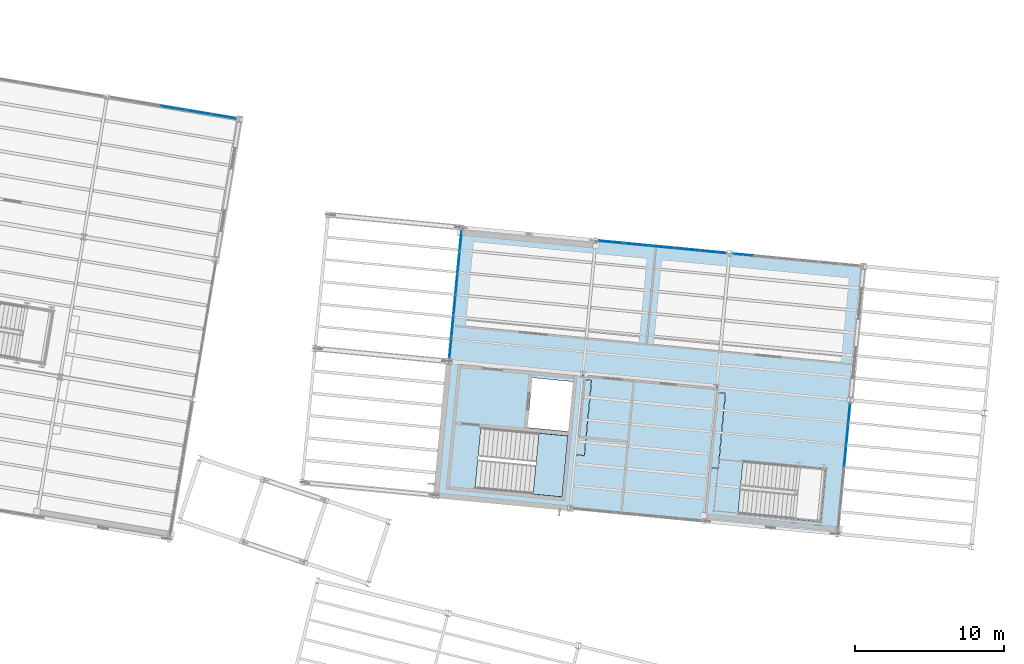
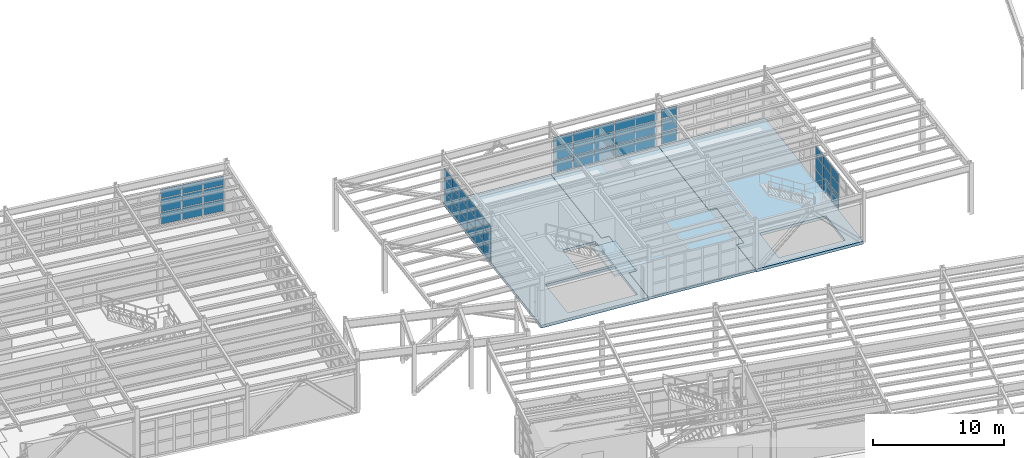
# One storey, part 71 of 109: 54 plates, 4 slabs, 6 elements without a shape of their own.
"""IFC4 building model written with IfcOpenShell, lengths in metres."""

from ifc_helpers import new_model, si_unit, direction, frame, origin, origin_2d, place, context, subcontext, project, spatial, polyline, rectangle, outline, extrude, material, layer, layer_set, type_object, element, aggregate, save


model = new_model("IFC4")

# Units and contexts
model_context = context("Model", 3, precision=1e-05, world=origin(), true_north=direction((0.0, 1.0)))
body_context = subcontext(model_context, "Body", "Model", "MODEL_VIEW")
ifc_project = project(units=[si_unit("LENGTHUNIT", "METRE"), si_unit("AREAUNIT", "SQUARE_METRE"), si_unit("VOLUMEUNIT", "CUBIC_METRE"), si_unit("PLANEANGLEUNIT", "RADIAN"), si_unit("MASSUNIT", "GRAM", prefix="KILO")], contexts=[model_context])

# Site, building, storey
site_placement = place(None, origin())
site = spatial("IfcSite", under=ifc_project, at=site_placement, CompositionType="ELEMENT")
building_placement = place(site_placement, origin())
building = spatial("IfcBuilding", under=site, at=building_placement, Name="Vireo Bluff Cable Station", CompositionType="ELEMENT")
storey_placement = place(building_placement, frame((0.0, 0.0, 4.800048828125)))
storey = spatial("IfcBuildingStorey", under=building, at=storey_placement, Name="L01", CompositionType="ELEMENT", Elevation=4.800048828125)

# Curtain wall, plates
ifc_material_1 = material(Name="Anodized Aluminium 6063-T6", Category="aluminium")
ifc_layer_1 = layer(ifc_material_1, 0.179931640625, Name="Anodized Aluminium 6063-T6")
ifc_layer_set_1 = layer_set([ifc_layer_1], Name="Anodized Aluminium 6063-T6")
curtain_wall_type_1 = type_object("IfcCurtainWallType", Name="CW-UNIT-1400", PredefinedType="USERDEFINED", material=ifc_layer_set_1)
curtain_wall_1_placement = place(storey_placement, origin())
curtain_wall_1 = element("IfcCurtainWall", 1, at=curtain_wall_1_placement, inside=storey, type_object=curtain_wall_type_1, Name="V3 L01 north curtain wall CW-075", ObjectType="UNITISED CURTAIN WALL", PredefinedType="USERDEFINED")
ifc_material_2 = material(Name="Laminated Low-E Insulated Glass", Category="glass")
ifc_layer_2 = layer(ifc_material_2, 0.028076171875, Name="Laminated Low-E Insulated Glass")
ifc_layer_set_2 = layer_set([ifc_layer_2], Name="Laminated Low-E Insulated Glass")
plate_type_1 = type_object("IfcPlateType", Name="CWP-28-1", PredefinedType="CURTAIN_PANEL", material=ifc_layer_set_2)
plate_1_placement = place(storey_placement, frame((88.306640625, 83.106689453125, 0.080078125), z_axis=(0.0, 0.0, 1.0), x_axis=(0.995396195058, -0.095845786884, 0.0)))
plate_1 = element("IfcPlate", 2, at=plate_1_placement, type_object=plate_type_1, Name="CW-075 panel 1.1", PredefinedType="CURTAIN_PANEL", context=body_context, shape_type="SweptSolid", body=[
    extrude(rectangle(XDim=1.3271484375, YDim=0.028076171875, at=origin_2d()), origin(), (0.0, 0.0, 1.0), 1.070068359375),
])
plate_2_placement = place(storey_placement, frame((88.306640625, 83.106689453125, 1.22998046875), z_axis=(0.0, 0.0, 1.0), x_axis=(0.995396195058, -0.095845786884, 0.0)))
plate_2 = element("IfcPlate", 3, at=plate_2_placement, type_object=plate_type_1, Name="CW-075 panel 1.2", PredefinedType="CURTAIN_PANEL", context=body_context, shape_type="SweptSolid", body=[
    extrude(rectangle(XDim=1.3271484375, YDim=0.028076171875, at=origin_2d()), origin(), (0.0, 0.0, 1.0), 1.177978515625),
])
plate_3_placement = place(storey_placement, frame((88.306640625, 83.106689453125, 2.488037109375), z_axis=(0.0, 0.0, 1.0), x_axis=(0.995396195058, -0.095845786884, 0.0)))
plate_3 = element("IfcPlate", 4, at=plate_3_placement, type_object=plate_type_1, Name="CW-075 panel 1.3", PredefinedType="CURTAIN_PANEL", context=body_context, shape_type="SweptSolid", body=[
    extrude(rectangle(XDim=1.3271484375, YDim=0.028076171875, at=origin_2d()), origin(), (0.0, 0.0, 1.0), 0.83203125),
])
aggregate(curtain_wall_1, [plate_1, plate_2, plate_3])

ifc_layer_3 = layer(ifc_material_1, 0.179931640625, Name="Anodized Aluminium 6063-T6")
ifc_layer_set_3 = layer_set([ifc_layer_3], Name="Anodized Aluminium 6063-T6")
curtain_wall_type_2 = type_object("IfcCurtainWallType", Name="CW-UNIT-1500", PredefinedType="USERDEFINED", material=ifc_layer_set_3)
curtain_wall_2_placement = place(storey_placement, origin())
curtain_wall_2 = element("IfcCurtainWall", 5, at=curtain_wall_2_placement, inside=storey, type_object=curtain_wall_type_2, Name="V3 L01 east curtain wall CW-076", ObjectType="UNITISED CURTAIN WALL", PredefinedType="USERDEFINED")
ifc_layer_4 = layer(ifc_material_2, 0.031982421875, Name="Laminated Low-E Insulated Glass")
ifc_layer_set_4 = layer_set([ifc_layer_4], Name="Laminated Low-E Insulated Glass")
plate_type_2 = type_object("IfcPlateType", Name="CWP-32-2", PredefinedType="CURTAIN_PANEL", material=ifc_layer_set_4)
plate_4_placement = place(storey_placement, frame((95.388427734375, 72.4609375, 0.06494140625), z_axis=(0.0, 0.0, 1.0), x_axis=(-0.095845740533, -0.995396199521, 0.0)))
plate_4 = element("IfcPlate", 6, at=plate_4_placement, type_object=plate_type_2, Name="CW-076 panel 1.1", PredefinedType="CURTAIN_PANEL", context=body_context, shape_type="SweptSolid", body=[
    extrude(rectangle(XDim=1.341552734375, YDim=0.031982421875, at=origin_2d()), origin(), (0.0, 0.0, 1.0), 1.092529296875),
])
plate_5_placement = place(storey_placement, frame((95.388427734375, 72.4609375, 1.22216796875), z_axis=(0.0, 0.0, 1.0), x_axis=(-0.095845740533, -0.995396199521, 0.0)))
plate_5 = element("IfcPlate", 7, at=plate_5_placement, type_object=plate_type_2, Name="CW-076 panel 1.2", PredefinedType="CURTAIN_PANEL", context=body_context, shape_type="SweptSolid", body=[
    extrude(rectangle(XDim=1.341552734375, YDim=0.031982421875, at=origin_2d()), origin(), (0.0, 0.0, 1.0), 1.193115234375),
])
plate_6_placement = place(storey_placement, frame((95.388427734375, 72.4609375, 2.48046875), z_axis=(0.0, 0.0, 1.0), x_axis=(-0.095845740533, -0.995396199521, 0.0)))
plate_6 = element("IfcPlate", 8, at=plate_6_placement, type_object=plate_type_2, Name="CW-076 panel 1.3", PredefinedType="CURTAIN_PANEL", context=body_context, shape_type="SweptSolid", body=[
    extrude(rectangle(XDim=1.341552734375, YDim=0.031982421875, at=origin_2d()), origin(), (0.0, 0.0, 1.0), 0.8544921875),
])
plate_7_placement = place(storey_placement, frame((95.251953125, 71.044677734375, 0.06494140625), z_axis=(0.0, 0.0, 1.0), x_axis=(-0.095845740533, -0.995396199521, 0.0)))
plate_7 = element("IfcPlate", 9, at=plate_7_placement, type_object=plate_type_2, Name="CW-076 panel 2.1", PredefinedType="CURTAIN_PANEL", context=body_context, shape_type="SweptSolid", body=[
    extrude(rectangle(XDim=1.3740234375, YDim=0.031982421875, at=origin_2d()), origin(), (0.0, 0.0, 1.0), 1.092529296875),
])
plate_8_placement = place(storey_placement, frame((95.251953125, 71.044677734375, 1.22216796875), z_axis=(0.0, 0.0, 1.0), x_axis=(-0.095845740533, -0.995396199521, 0.0)))
plate_8 = element("IfcPlate", 10, at=plate_8_placement, type_object=plate_type_2, Name="CW-076 panel 2.2", PredefinedType="CURTAIN_PANEL", context=body_context, shape_type="SweptSolid", body=[
    extrude(rectangle(XDim=1.3740234375, YDim=0.031982421875, at=origin_2d()), origin(), (0.0, 0.0, 1.0), 1.193115234375),
])
plate_9_placement = place(storey_placement, frame((95.251953125, 71.044677734375, 2.48046875), z_axis=(0.0, 0.0, 1.0), x_axis=(-0.095845740533, -0.995396199521, 0.0)))
plate_9 = element("IfcPlate", 11, at=plate_9_placement, type_object=plate_type_2, Name="CW-076 panel 2.3", PredefinedType="CURTAIN_PANEL", context=body_context, shape_type="SweptSolid", body=[
    extrude(rectangle(XDim=1.3740234375, YDim=0.031982421875, at=origin_2d()), origin(), (0.0, 0.0, 1.0), 0.8544921875),
])
plate_10_placement = place(storey_placement, frame((95.114013671875, 69.6123046875, 0.06494140625), z_axis=(0.0, 0.0, 1.0), x_axis=(-0.095845740533, -0.995396199521, 0.0)))
plate_10 = element("IfcPlate", 12, at=plate_10_placement, type_object=plate_type_2, Name="CW-076 panel 3.1", PredefinedType="CURTAIN_PANEL", context=body_context, shape_type="SweptSolid", body=[
    extrude(rectangle(XDim=1.3740234375, YDim=0.031982421875, at=origin_2d()), origin(), (0.0, 0.0, 1.0), 1.092529296875),
])
plate_11_placement = place(storey_placement, frame((95.114013671875, 69.6123046875, 1.22216796875), z_axis=(0.0, 0.0, 1.0), x_axis=(-0.095845740533, -0.995396199521, 0.0)))
plate_11 = element("IfcPlate", 13, at=plate_11_placement, type_object=plate_type_2, Name="CW-076 panel 3.2", PredefinedType="CURTAIN_PANEL", context=body_context, shape_type="SweptSolid", body=[
    extrude(rectangle(XDim=1.3740234375, YDim=0.031982421875, at=origin_2d()), origin(), (0.0, 0.0, 1.0), 1.193115234375),
])
plate_12_placement = place(storey_placement, frame((95.114013671875, 69.6123046875, 2.48046875), z_axis=(0.0, 0.0, 1.0), x_axis=(-0.095845740533, -0.995396199521, 0.0)))
plate_12 = element("IfcPlate", 14, at=plate_12_placement, type_object=plate_type_2, Name="CW-076 panel 3.3", PredefinedType="CURTAIN_PANEL", context=body_context, shape_type="SweptSolid", body=[
    extrude(rectangle(XDim=1.3740234375, YDim=0.031982421875, at=origin_2d()), origin(), (0.0, 0.0, 1.0), 0.8544921875),
])
aggregate(curtain_wall_2, [plate_4, plate_5, plate_6, plate_7, plate_8, plate_9, plate_10, plate_11, plate_12])

ifc_layer_5 = layer(ifc_material_1, 0.179931640625, Name="Anodized Aluminium 6063-T6")
ifc_layer_set_5 = layer_set([ifc_layer_5], Name="Anodized Aluminium 6063-T6")
curtain_wall_type_3 = type_object("IfcCurtainWallType", Name="CW-UNIT-1650", PredefinedType="USERDEFINED", material=ifc_layer_set_5)
curtain_wall_3_placement = place(storey_placement, origin())
curtain_wall_3 = element("IfcCurtainWall", 15, at=curtain_wall_3_placement, inside=storey, type_object=curtain_wall_type_3, Name="V4 L01 north curtain wall CW-092", ObjectType="UNITISED CURTAIN WALL", PredefinedType="USERDEFINED")
ifc_layer_6 = layer(ifc_material_2, 0.035888671875, Name="Laminated Low-E Insulated Glass")
ifc_layer_set_6 = layer_set([ifc_layer_6], Name="Laminated Low-E Insulated Glass")
plate_type_3 = type_object("IfcPlateType", Name="CWP-36-3", PredefinedType="CURTAIN_PANEL", material=ifc_layer_set_6)
plate_13_placement = place(storey_placement, frame((50.119873046875, 92.929443359375, 0.06494140625), z_axis=(0.0, 0.0, 1.0), x_axis=(0.986285589951, -0.165047675095, 0.0)))
plate_13 = element("IfcPlate", 16, at=plate_13_placement, type_object=plate_type_3, Name="CW-092 panel 3.1", PredefinedType="CURTAIN_PANEL", context=body_context, shape_type="SweptSolid", body=[
    extrude(rectangle(XDim=1.671875, YDim=0.035888671875, at=origin_2d()), origin(), (0.0, 0.0, 1.0), 1.092529296875),
])
plate_14_placement = place(storey_placement, frame((50.119873046875, 92.929443359375, 1.22216796875), z_axis=(0.0, 0.0, 1.0), x_axis=(0.986285589951, -0.165047675095, 0.0)))
plate_14 = element("IfcPlate", 17, at=plate_14_placement, type_object=plate_type_3, Name="CW-092 panel 3.2", PredefinedType="CURTAIN_PANEL", context=body_context, shape_type="SweptSolid", body=[
    extrude(rectangle(XDim=1.671875, YDim=0.035888671875, at=origin_2d()), origin(), (0.0, 0.0, 1.0), 1.193115234375),
])
plate_15_placement = place(storey_placement, frame((50.119873046875, 92.929443359375, 2.48046875), z_axis=(0.0, 0.0, 1.0), x_axis=(0.986285589951, -0.165047675095, 0.0)))
plate_15 = element("IfcPlate", 18, at=plate_15_placement, type_object=plate_type_3, Name="CW-092 panel 3.3", PredefinedType="CURTAIN_PANEL", context=body_context, shape_type="SweptSolid", body=[
    extrude(rectangle(XDim=1.671875, YDim=0.035888671875, at=origin_2d()), origin(), (0.0, 0.0, 1.0), 0.8544921875),
])
plate_16_placement = place(storey_placement, frame((51.832763671875, 92.642822265625, 0.06494140625), z_axis=(0.0, 0.0, 1.0), x_axis=(0.986285589951, -0.165047675095, 0.0)))
plate_16 = element("IfcPlate", 19, at=plate_16_placement, type_object=plate_type_3, Name="CW-092 panel 4.1", PredefinedType="CURTAIN_PANEL", context=body_context, shape_type="SweptSolid", body=[
    extrude(rectangle(XDim=1.671875, YDim=0.035888671875, at=origin_2d()), origin(), (0.0, 0.0, 1.0), 1.092529296875),
])
plate_17_placement = place(storey_placement, frame((51.832763671875, 92.642822265625, 1.22216796875), z_axis=(0.0, 0.0, 1.0), x_axis=(0.986285589951, -0.165047675095, 0.0)))
plate_17 = element("IfcPlate", 20, at=plate_17_placement, type_object=plate_type_3, Name="CW-092 panel 4.2", PredefinedType="CURTAIN_PANEL", context=body_context, shape_type="SweptSolid", body=[
    extrude(rectangle(XDim=1.671875, YDim=0.035888671875, at=origin_2d()), origin(), (0.0, 0.0, 1.0), 1.193115234375),
])
plate_18_placement = place(storey_placement, frame((51.832763671875, 92.642822265625, 2.48046875), z_axis=(0.0, 0.0, 1.0), x_axis=(0.986285589951, -0.165047675095, 0.0)))
plate_18 = element("IfcPlate", 21, at=plate_18_placement, type_object=plate_type_3, Name="CW-092 panel 4.3", PredefinedType="CURTAIN_PANEL", context=body_context, shape_type="SweptSolid", body=[
    extrude(rectangle(XDim=1.671875, YDim=0.035888671875, at=origin_2d()), origin(), (0.0, 0.0, 1.0), 0.8544921875),
])
plate_19_placement = place(storey_placement, frame((53.52978515625, 92.35888671875, 0.06494140625), z_axis=(0.0, 0.0, 1.0), x_axis=(0.986285589951, -0.165047675095, 0.0)))
plate_19 = element("IfcPlate", 22, at=plate_19_placement, type_object=plate_type_3, Name="CW-092 panel 5.1", PredefinedType="CURTAIN_PANEL", context=body_context, shape_type="SweptSolid", body=[
    extrude(rectangle(XDim=1.639404296875, YDim=0.035888671875, at=origin_2d()), origin(), (0.0, 0.0, 1.0), 1.092529296875),
])
plate_20_placement = place(storey_placement, frame((53.52978515625, 92.35888671875, 1.22216796875), z_axis=(0.0, 0.0, 1.0), x_axis=(0.986285589951, -0.165047675095, 0.0)))
plate_20 = element("IfcPlate", 23, at=plate_20_placement, type_object=plate_type_3, Name="CW-092 panel 5.2", PredefinedType="CURTAIN_PANEL", context=body_context, shape_type="SweptSolid", body=[
    extrude(rectangle(XDim=1.639404296875, YDim=0.035888671875, at=origin_2d()), origin(), (0.0, 0.0, 1.0), 1.193115234375),
])
plate_21_placement = place(storey_placement, frame((53.52978515625, 92.35888671875, 2.48046875), z_axis=(0.0, 0.0, 1.0), x_axis=(0.986285589951, -0.165047675095, 0.0)))
plate_21 = element("IfcPlate", 24, at=plate_21_placement, type_object=plate_type_3, Name="CW-092 panel 5.3", PredefinedType="CURTAIN_PANEL", context=body_context, shape_type="SweptSolid", body=[
    extrude(rectangle(XDim=1.639404296875, YDim=0.035888671875, at=origin_2d()), origin(), (0.0, 0.0, 1.0), 0.8544921875),
])
aggregate(curtain_wall_3, [plate_13, plate_14, plate_15, plate_16, plate_17, plate_18, plate_19, plate_20, plate_21])

curtain_wall_4_placement = place(storey_placement, origin())
curtain_wall_4 = element("IfcCurtainWall", 25, at=curtain_wall_4_placement, inside=storey, type_object=curtain_wall_type_2, Name="V3 L01 west curtain wall CW-073", ObjectType="UNITISED CURTAIN WALL", PredefinedType="USERDEFINED")
ifc_material_3 = material(Name="Insulated Spandrel Glass Panel", Category="glass")
ifc_layer_7 = layer(ifc_material_3, 0.0419921875, Name="Insulated Spandrel Glass Panel")
ifc_layer_set_7 = layer_set([ifc_layer_7], Name="Insulated Spandrel Glass Panel")
plate_type_4 = type_object("IfcPlateType", Name="CWP-42-4", PredefinedType="CURTAIN_PANEL", material=ifc_layer_set_7)
plate_22_placement = place(storey_placement, frame((68.689208984375, 76.882080078125, 0.0751953125), z_axis=(0.0, 0.0, 1.0), x_axis=(0.095845723073, 0.995396201203, 0.0)))
plate_22 = element("IfcPlate", 26, at=plate_22_placement, type_object=plate_type_4, Name="CW-073 panel 1.1", PredefinedType="CURTAIN_PANEL", context=body_context, shape_type="SweptSolid", body=[
    extrude(rectangle(XDim=1.330810546875, YDim=0.0419921875, at=origin_2d()), origin(), (0.0, 0.0, 1.0), 1.077392578125),
])
plate_23_placement = place(storey_placement, frame((68.689208984375, 76.882080078125, 1.227294921875), z_axis=(0.0, 0.0, 1.0), x_axis=(0.095845723073, 0.995396201203, 0.0)))
plate_23 = element("IfcPlate", 27, at=plate_23_placement, type_object=plate_type_4, Name="CW-073 panel 1.2", PredefinedType="CURTAIN_PANEL", context=body_context, shape_type="SweptSolid", body=[
    extrude(rectangle(XDim=1.330810546875, YDim=0.0419921875, at=origin_2d()), origin(), (0.0, 0.0, 1.0), 1.18310546875),
])
plate_24_placement = place(storey_placement, frame((68.689208984375, 76.882080078125, 2.4853515625), z_axis=(0.0, 0.0, 1.0), x_axis=(0.095845723073, 0.995396201203, 0.0)))
plate_24 = element("IfcPlate", 28, at=plate_24_placement, type_object=plate_type_4, Name="CW-073 panel 1.3", PredefinedType="CURTAIN_PANEL", context=body_context, shape_type="SweptSolid", body=[
    extrude(rectangle(XDim=1.330810546875, YDim=0.0419921875, at=origin_2d()), origin(), (0.0, 0.0, 1.0), 0.839599609375),
])
plate_25_placement = place(storey_placement, frame((68.82568359375, 78.300048828125, 0.0751953125), z_axis=(0.0, 0.0, 1.0), x_axis=(0.095845723073, 0.995396201203, 0.0)))
plate_25 = element("IfcPlate", 29, at=plate_25_placement, type_object=plate_type_4, Name="CW-073 panel 2.1", PredefinedType="CURTAIN_PANEL", context=body_context, shape_type="SweptSolid", body=[
    extrude(rectangle(XDim=1.3681640625, YDim=0.0419921875, at=origin_2d()), origin(), (0.0, 0.0, 1.0), 1.077392578125),
])
plate_26_placement = place(storey_placement, frame((68.82568359375, 78.300048828125, 1.227294921875), z_axis=(0.0, 0.0, 1.0), x_axis=(0.095845723073, 0.995396201203, 0.0)))
plate_26 = element("IfcPlate", 30, at=plate_26_placement, type_object=plate_type_4, Name="CW-073 panel 2.2", PredefinedType="CURTAIN_PANEL", context=body_context, shape_type="SweptSolid", body=[
    extrude(rectangle(XDim=1.3681640625, YDim=0.0419921875, at=origin_2d()), origin(), (0.0, 0.0, 1.0), 1.18310546875),
])
plate_27_placement = place(storey_placement, frame((68.82568359375, 78.300048828125, 2.4853515625), z_axis=(0.0, 0.0, 1.0), x_axis=(0.095845723073, 0.995396201203, 0.0)))
plate_27 = element("IfcPlate", 31, at=plate_27_placement, type_object=plate_type_4, Name="CW-073 panel 2.3", PredefinedType="CURTAIN_PANEL", context=body_context, shape_type="SweptSolid", body=[
    extrude(rectangle(XDim=1.3681640625, YDim=0.0419921875, at=origin_2d()), origin(), (0.0, 0.0, 1.0), 0.839599609375),
])
plate_28_placement = place(storey_placement, frame((68.964111328125, 79.736572265625, 0.0751953125), z_axis=(0.0, 0.0, 1.0), x_axis=(0.095845723073, 0.995396201203, 0.0)))
plate_28 = element("IfcPlate", 32, at=plate_28_placement, type_object=plate_type_4, Name="CW-073 panel 3.1", PredefinedType="CURTAIN_PANEL", context=body_context, shape_type="SweptSolid", body=[
    extrude(rectangle(XDim=1.3681640625, YDim=0.0419921875, at=origin_2d()), origin(), (0.0, 0.0, 1.0), 1.077392578125),
])
plate_29_placement = place(storey_placement, frame((68.964111328125, 79.736572265625, 1.227294921875), z_axis=(0.0, 0.0, 1.0), x_axis=(0.095845723073, 0.995396201203, 0.0)))
plate_29 = element("IfcPlate", 33, at=plate_29_placement, type_object=plate_type_4, Name="CW-073 panel 3.2", PredefinedType="CURTAIN_PANEL", context=body_context, shape_type="SweptSolid", body=[
    extrude(rectangle(XDim=1.3681640625, YDim=0.0419921875, at=origin_2d()), origin(), (0.0, 0.0, 1.0), 1.18310546875),
])
plate_30_placement = place(storey_placement, frame((68.964111328125, 79.736572265625, 2.4853515625), z_axis=(0.0, 0.0, 1.0), x_axis=(0.095845723073, 0.995396201203, 0.0)))
plate_30 = element("IfcPlate", 34, at=plate_30_placement, type_object=plate_type_4, Name="CW-073 panel 3.3", PredefinedType="CURTAIN_PANEL", context=body_context, shape_type="SweptSolid", body=[
    extrude(rectangle(XDim=1.3681640625, YDim=0.0419921875, at=origin_2d()), origin(), (0.0, 0.0, 1.0), 0.839599609375),
])
plate_31_placement = place(storey_placement, frame((69.1025390625, 81.17333984375, 0.0751953125), z_axis=(0.0, 0.0, 1.0), x_axis=(0.095845723073, 0.995396201203, 0.0)))
plate_31 = element("IfcPlate", 35, at=plate_31_placement, type_object=plate_type_4, Name="CW-073 panel 4.1", PredefinedType="CURTAIN_PANEL", context=body_context, shape_type="SweptSolid", body=[
    extrude(rectangle(XDim=1.3681640625, YDim=0.0419921875, at=origin_2d()), origin(), (0.0, 0.0, 1.0), 1.077392578125),
])
plate_32_placement = place(storey_placement, frame((69.1025390625, 81.17333984375, 1.227294921875), z_axis=(0.0, 0.0, 1.0), x_axis=(0.095845723073, 0.995396201203, 0.0)))
plate_32 = element("IfcPlate", 36, at=plate_32_placement, type_object=plate_type_4, Name="CW-073 panel 4.2", PredefinedType="CURTAIN_PANEL", context=body_context, shape_type="SweptSolid", body=[
    extrude(rectangle(XDim=1.3681640625, YDim=0.0419921875, at=origin_2d()), origin(), (0.0, 0.0, 1.0), 1.18310546875),
])
plate_33_placement = place(storey_placement, frame((69.1025390625, 81.17333984375, 2.4853515625), z_axis=(0.0, 0.0, 1.0), x_axis=(0.095845723073, 0.995396201203, 0.0)))
plate_33 = element("IfcPlate", 37, at=plate_33_placement, type_object=plate_type_4, Name="CW-073 panel 4.3", PredefinedType="CURTAIN_PANEL", context=body_context, shape_type="SweptSolid", body=[
    extrude(rectangle(XDim=1.3681640625, YDim=0.0419921875, at=origin_2d()), origin(), (0.0, 0.0, 1.0), 0.839599609375),
])
plate_34_placement = place(storey_placement, frame((69.24072265625, 82.60986328125, 0.0751953125), z_axis=(0.0, 0.0, 1.0), x_axis=(0.095845723073, 0.995396201203, 0.0)))
plate_34 = element("IfcPlate", 38, at=plate_34_placement, type_object=plate_type_4, Name="CW-073 panel 5.1", PredefinedType="CURTAIN_PANEL", context=body_context, shape_type="SweptSolid", body=[
    extrude(rectangle(XDim=1.3681640625, YDim=0.0419921875, at=origin_2d()), origin(), (0.0, 0.0, 1.0), 1.077392578125),
])
plate_35_placement = place(storey_placement, frame((69.24072265625, 82.60986328125, 1.227294921875), z_axis=(0.0, 0.0, 1.0), x_axis=(0.095845723073, 0.995396201203, 0.0)))
plate_35 = element("IfcPlate", 39, at=plate_35_placement, type_object=plate_type_4, Name="CW-073 panel 5.2", PredefinedType="CURTAIN_PANEL", context=body_context, shape_type="SweptSolid", body=[
    extrude(rectangle(XDim=1.3681640625, YDim=0.0419921875, at=origin_2d()), origin(), (0.0, 0.0, 1.0), 1.18310546875),
])
plate_36_placement = place(storey_placement, frame((69.24072265625, 82.60986328125, 2.4853515625), z_axis=(0.0, 0.0, 1.0), x_axis=(0.095845723073, 0.995396201203, 0.0)))
plate_36 = element("IfcPlate", 40, at=plate_36_placement, type_object=plate_type_4, Name="CW-073 panel 5.3", PredefinedType="CURTAIN_PANEL", context=body_context, shape_type="SweptSolid", body=[
    extrude(rectangle(XDim=1.3681640625, YDim=0.0419921875, at=origin_2d()), origin(), (0.0, 0.0, 1.0), 0.839599609375),
])
plate_37_placement = place(storey_placement, frame((69.377197265625, 84.02783203125, 0.0751953125), z_axis=(0.0, 0.0, 1.0), x_axis=(0.095845723073, 0.995396201203, 0.0)))
plate_37 = element("IfcPlate", 41, at=plate_37_placement, type_object=plate_type_4, Name="CW-073 panel 6.1", PredefinedType="CURTAIN_PANEL", context=body_context, shape_type="SweptSolid", body=[
    extrude(rectangle(XDim=1.330810546875, YDim=0.0419921875, at=origin_2d()), origin(), (0.0, 0.0, 1.0), 1.077392578125),
])
plate_38_placement = place(storey_placement, frame((69.377197265625, 84.02783203125, 1.227294921875), z_axis=(0.0, 0.0, 1.0), x_axis=(0.095845723073, 0.995396201203, 0.0)))
plate_38 = element("IfcPlate", 42, at=plate_38_placement, type_object=plate_type_4, Name="CW-073 panel 6.2", PredefinedType="CURTAIN_PANEL", context=body_context, shape_type="SweptSolid", body=[
    extrude(rectangle(XDim=1.330810546875, YDim=0.0419921875, at=origin_2d()), origin(), (0.0, 0.0, 1.0), 1.18310546875),
])
plate_39_placement = place(storey_placement, frame((69.377197265625, 84.02783203125, 2.4853515625), z_axis=(0.0, 0.0, 1.0), x_axis=(0.095845723073, 0.995396201203, 0.0)))
plate_39 = element("IfcPlate", 43, at=plate_39_placement, type_object=plate_type_4, Name="CW-073 panel 6.3", PredefinedType="CURTAIN_PANEL", context=body_context, shape_type="SweptSolid", body=[
    extrude(rectangle(XDim=1.330810546875, YDim=0.0419921875, at=origin_2d()), origin(), (0.0, 0.0, 1.0), 0.839599609375),
])
aggregate(curtain_wall_4, [plate_22, plate_23, plate_24, plate_25, plate_26, plate_27, plate_28, plate_29, plate_30, plate_31, plate_32, plate_33, plate_34, plate_35, plate_36, plate_37, plate_38, plate_39])

curtain_wall_5_placement = place(storey_placement, origin())
curtain_wall_5 = element("IfcCurtainWall", 44, at=curtain_wall_5_placement, inside=storey, type_object=curtain_wall_type_3, Name="V3 L01 north curtain wall CW-074", ObjectType="UNITISED CURTAIN WALL", PredefinedType="USERDEFINED")
ifc_layer_8 = layer(ifc_material_3, 0.048095703125, Name="Insulated Spandrel Glass Panel")
ifc_layer_set_8 = layer_set([ifc_layer_8], Name="Insulated Spandrel Glass Panel")
plate_type_5 = type_object("IfcPlateType", Name="CWP-48-5", PredefinedType="CURTAIN_PANEL", material=ifc_layer_set_8)
plate_40_placement = place(storey_placement, frame((79.430908203125, 83.961181640625, 0.059814453125), z_axis=(0.0, 0.0, 1.0), x_axis=(0.995396196116, -0.095845775904, 0.0)))
plate_40 = element("IfcPlate", 45, at=plate_40_placement, type_object=plate_type_5, Name="CW-074 panel 1.1", PredefinedType="CURTAIN_PANEL", context=body_context, shape_type="SweptSolid", body=[
    extrude(rectangle(XDim=1.646484375, YDim=0.048095703125, at=origin_2d()), origin(), (0.0, 0.0, 1.0), 1.10009765625),
])
plate_41_placement = place(storey_placement, frame((79.430908203125, 83.961181640625, 1.2197265625), z_axis=(0.0, 0.0, 1.0), x_axis=(0.995396196116, -0.095845775904, 0.0)))
plate_41 = element("IfcPlate", 46, at=plate_41_placement, type_object=plate_type_5, Name="CW-074 panel 1.2", PredefinedType="CURTAIN_PANEL", context=body_context, shape_type="SweptSolid", body=[
    extrude(rectangle(XDim=1.646484375, YDim=0.048095703125, at=origin_2d()), origin(), (0.0, 0.0, 1.0), 1.197998046875),
])
plate_42_placement = place(storey_placement, frame((79.430908203125, 83.961181640625, 2.47802734375), z_axis=(0.0, 0.0, 1.0), x_axis=(0.995396196116, -0.095845775904, 0.0)))
plate_42 = element("IfcPlate", 47, at=plate_42_placement, type_object=plate_type_5, Name="CW-074 panel 1.3", PredefinedType="CURTAIN_PANEL", context=body_context, shape_type="SweptSolid", body=[
    extrude(rectangle(XDim=1.646484375, YDim=0.048095703125, at=origin_2d()), origin(), (0.0, 0.0, 1.0), 0.862060546875),
])
plate_43_placement = place(storey_placement, frame((81.14453125, 83.796142578125, 0.059814453125), z_axis=(0.0, 0.0, 1.0), x_axis=(0.995396196116, -0.095845775904, 0.0)))
plate_43 = element("IfcPlate", 48, at=plate_43_placement, type_object=plate_type_5, Name="CW-074 panel 2.1", PredefinedType="CURTAIN_PANEL", context=body_context, shape_type="SweptSolid", body=[
    extrude(rectangle(XDim=1.676513671875, YDim=0.048095703125, at=origin_2d()), origin(), (0.0, 0.0, 1.0), 1.10009765625),
])
plate_44_placement = place(storey_placement, frame((81.14453125, 83.796142578125, 1.2197265625), z_axis=(0.0, 0.0, 1.0), x_axis=(0.995396196116, -0.095845775904, 0.0)))
plate_44 = element("IfcPlate", 49, at=plate_44_placement, type_object=plate_type_5, Name="CW-074 panel 2.2", PredefinedType="CURTAIN_PANEL", context=body_context, shape_type="SweptSolid", body=[
    extrude(rectangle(XDim=1.676513671875, YDim=0.048095703125, at=origin_2d()), origin(), (0.0, 0.0, 1.0), 1.197998046875),
])
plate_45_placement = place(storey_placement, frame((81.14453125, 83.796142578125, 2.47802734375), z_axis=(0.0, 0.0, 1.0), x_axis=(0.995396196116, -0.095845775904, 0.0)))
plate_45 = element("IfcPlate", 50, at=plate_45_placement, type_object=plate_type_5, Name="CW-074 panel 2.3", PredefinedType="CURTAIN_PANEL", context=body_context, shape_type="SweptSolid", body=[
    extrude(rectangle(XDim=1.676513671875, YDim=0.048095703125, at=origin_2d()), origin(), (0.0, 0.0, 1.0), 0.862060546875),
])
plate_46_placement = place(storey_placement, frame((82.873046875, 83.6298828125, 0.059814453125), z_axis=(0.0, 0.0, 1.0), x_axis=(0.995396196116, -0.095845775904, 0.0)))
plate_46 = element("IfcPlate", 51, at=plate_46_placement, type_object=plate_type_5, Name="CW-074 panel 3.1", PredefinedType="CURTAIN_PANEL", context=body_context, shape_type="SweptSolid", body=[
    extrude(rectangle(XDim=1.676513671875, YDim=0.048095703125, at=origin_2d()), origin(), (0.0, 0.0, 1.0), 1.10009765625),
])
plate_47_placement = place(storey_placement, frame((82.873046875, 83.6298828125, 1.2197265625), z_axis=(0.0, 0.0, 1.0), x_axis=(0.995396196116, -0.095845775904, 0.0)))
plate_47 = element("IfcPlate", 52, at=plate_47_placement, type_object=plate_type_5, Name="CW-074 panel 3.2", PredefinedType="CURTAIN_PANEL", context=body_context, shape_type="SweptSolid", body=[
    extrude(rectangle(XDim=1.676513671875, YDim=0.048095703125, at=origin_2d()), origin(), (0.0, 0.0, 1.0), 1.197998046875),
])
plate_48_placement = place(storey_placement, frame((82.873046875, 83.6298828125, 2.47802734375), z_axis=(0.0, 0.0, 1.0), x_axis=(0.995396196116, -0.095845775904, 0.0)))
plate_48 = element("IfcPlate", 53, at=plate_48_placement, type_object=plate_type_5, Name="CW-074 panel 3.3", PredefinedType="CURTAIN_PANEL", context=body_context, shape_type="SweptSolid", body=[
    extrude(rectangle(XDim=1.676513671875, YDim=0.048095703125, at=origin_2d()), origin(), (0.0, 0.0, 1.0), 0.862060546875),
])
plate_49_placement = place(storey_placement, frame((84.6015625, 83.46337890625, 0.059814453125), z_axis=(0.0, 0.0, 1.0), x_axis=(0.995396196116, -0.095845775904, 0.0)))
plate_49 = element("IfcPlate", 54, at=plate_49_placement, type_object=plate_type_5, Name="CW-074 panel 4.1", PredefinedType="CURTAIN_PANEL", context=body_context, shape_type="SweptSolid", body=[
    extrude(rectangle(XDim=1.676513671875, YDim=0.048095703125, at=origin_2d()), origin(), (0.0, 0.0, 1.0), 1.10009765625),
])
plate_50_placement = place(storey_placement, frame((84.6015625, 83.46337890625, 1.2197265625), z_axis=(0.0, 0.0, 1.0), x_axis=(0.995396196116, -0.095845775904, 0.0)))
plate_50 = element("IfcPlate", 55, at=plate_50_placement, type_object=plate_type_5, Name="CW-074 panel 4.2", PredefinedType="CURTAIN_PANEL", context=body_context, shape_type="SweptSolid", body=[
    extrude(rectangle(XDim=1.676513671875, YDim=0.048095703125, at=origin_2d()), origin(), (0.0, 0.0, 1.0), 1.197998046875),
])
plate_51_placement = place(storey_placement, frame((84.6015625, 83.46337890625, 2.47802734375), z_axis=(0.0, 0.0, 1.0), x_axis=(0.995396196116, -0.095845775904, 0.0)))
plate_51 = element("IfcPlate", 56, at=plate_51_placement, type_object=plate_type_5, Name="CW-074 panel 4.3", PredefinedType="CURTAIN_PANEL", context=body_context, shape_type="SweptSolid", body=[
    extrude(rectangle(XDim=1.676513671875, YDim=0.048095703125, at=origin_2d()), origin(), (0.0, 0.0, 1.0), 0.862060546875),
])
plate_52_placement = place(storey_placement, frame((86.315185546875, 83.29833984375, 0.059814453125), z_axis=(0.0, 0.0, 1.0), x_axis=(0.995396196116, -0.095845775904, 0.0)))
plate_52 = element("IfcPlate", 57, at=plate_52_placement, type_object=plate_type_5, Name="CW-074 panel 5.1", PredefinedType="CURTAIN_PANEL", context=body_context, shape_type="SweptSolid", body=[
    extrude(rectangle(XDim=1.646484375, YDim=0.048095703125, at=origin_2d()), origin(), (0.0, 0.0, 1.0), 1.10009765625),
])
plate_53_placement = place(storey_placement, frame((86.315185546875, 83.29833984375, 1.2197265625), z_axis=(0.0, 0.0, 1.0), x_axis=(0.995396196116, -0.095845775904, 0.0)))
plate_53 = element("IfcPlate", 58, at=plate_53_placement, type_object=plate_type_5, Name="CW-074 panel 5.2", PredefinedType="CURTAIN_PANEL", context=body_context, shape_type="SweptSolid", body=[
    extrude(rectangle(XDim=1.646484375, YDim=0.048095703125, at=origin_2d()), origin(), (0.0, 0.0, 1.0), 1.197998046875),
])
plate_54_placement = place(storey_placement, frame((86.315185546875, 83.29833984375, 2.47802734375), z_axis=(0.0, 0.0, 1.0), x_axis=(0.995396196116, -0.095845775904, 0.0)))
plate_54 = element("IfcPlate", 59, at=plate_54_placement, type_object=plate_type_5, Name="CW-074 panel 5.3", PredefinedType="CURTAIN_PANEL", context=body_context, shape_type="SweptSolid", body=[
    extrude(rectangle(XDim=1.646484375, YDim=0.048095703125, at=origin_2d()), origin(), (0.0, 0.0, 1.0), 0.862060546875),
])
aggregate(curtain_wall_5, [plate_40, plate_41, plate_42, plate_43, plate_44, plate_45, plate_46, plate_47, plate_48, plate_49, plate_50, plate_51, plate_52, plate_53, plate_54])

# Slabs
ifc_material_4 = material(Name="Concrete f'c 40 MPa", Category="concrete")
ifc_layer_9 = layer(ifc_material_4, 0.219970703125, Name="Concrete f'c 40 MPa")
ifc_layer_set_9 = layer_set([ifc_layer_9], Name="Concrete f'c 40 MPa")
slab_type_1 = type_object("IfcSlabType", Name="FLOORSLAB-220", PredefinedType="FLOOR", material=ifc_layer_set_9)
slab_1_placement = place(storey_placement, frame((0.0, 0.0, -0.219970703125)))
element("IfcSlab", 60, at=slab_1_placement, inside=storey, type_object=slab_type_1, Name="V3 L01 floor slab bay 2", PredefinedType="FLOOR", context=body_context, shape_type="SweptSolid", body=[
    extrude(outline(polyline([(76.70654296875, 66.140380859375), (85.645263671875, 65.279541015625), (85.990234375, 68.863037109375), (86.607421875, 68.8037109375), (87.090576171875, 73.8203125), (86.473388671875, 73.8798828125), (87.37060546875, 83.19677734375), (78.431884765625, 84.057373046875), (77.53662109375, 74.760498046875), (78.15380859375, 74.700927734375), (77.6669921875, 69.644287109375), (77.0498046875, 69.703857421875), (76.70654296875, 66.140380859375)])), origin(), (0.0, 0.0, 1.0), 0.219970703125),
])
ifc_layer_10 = layer(ifc_material_4, 0.260009765625, Name="Concrete f'c 40 MPa")
ifc_layer_set_10 = layer_set([ifc_layer_10], Name="Concrete f'c 40 MPa")
slab_type_2 = type_object("IfcSlabType", Name="FLOORSLAB-260", PredefinedType="FLOOR", material=ifc_layer_set_10)
slab_2_placement = place(storey_placement, frame((0.0, 0.0, -0.260009765625)))
element("IfcSlab", 61, at=slab_2_placement, inside=storey, type_object=slab_type_2, Name="V3 L01 floor slab bay 1", PredefinedType="FLOOR", context=body_context, shape_type="SweptSolid", body=[
    extrude(outline(polyline([(67.738037109375, 67.00390625), (76.686767578125, 66.142333984375), (77.03173828125, 69.7255859375), (77.64892578125, 69.666259765625), (78.1318359375, 74.68310546875), (77.514892578125, 74.742431640625), (78.411865234375, 84.059326171875), (69.46337890625, 84.9208984375), (67.738037109375, 67.00390625)]), holes=[polyline([(70.34423828125, 67.45703125), (70.737060546875, 71.53662109375), (76.55859375, 70.97607421875), (76.165771484375, 66.896484375), (70.34423828125, 67.45703125)]), polyline([(73.851806640625, 71.53955078125), (74.172607421875, 74.87255859375), (76.908447265625, 74.609130859375), (76.58740234375, 71.276123046875), (73.851806640625, 71.53955078125)])]), origin(), (0.0, 0.0, 1.0), 0.260009765625),
])
slab_3_placement = place(storey_placement, frame((0.0, 0.0, -0.260009765625)))
element("IfcSlab", 62, at=slab_3_placement, inside=storey, type_object=slab_type_2, Name="V3 L01 floor slab bay 3", PredefinedType="FLOOR", context=body_context, shape_type="SweptSolid", body=[
    extrude(outline(polyline([(85.665283203125, 65.277587890625), (94.61376953125, 64.416015625), (96.339111328125, 82.333251953125), (87.390380859375, 83.19482421875), (86.4951171875, 73.897705078125), (87.1123046875, 73.83837890625), (86.62548828125, 68.78173828125), (86.00830078125, 68.84130859375), (85.665283203125, 65.277587890625)]), holes=[polyline([(87.94287109375, 65.762451171875), (88.283935546875, 69.304443359375), (93.82666015625, 68.770751953125), (93.485595703125, 65.228759765625), (87.94287109375, 65.762451171875)])]), origin(), (0.0, 0.0, 1.0), 0.260009765625),
])

# Stair, slab
stair_type = type_object("IfcStairType", Name="STAIR-HT-1950", PredefinedType="HALF_TURN_STAIR", material=ifc_material_4)
stair_placement = place(storey_placement, origin())
stair = element("IfcStair", 63, at=stair_placement, inside=storey, type_object=stair_type, Name="L01 CORE-1 Exit Stair ST-01", PredefinedType="HALF_TURN_STAIR")
ifc_layer_11 = layer(ifc_material_4, 0.18994140625, Name="Concrete f'c 40 MPa")
ifc_layer_set_11 = layer_set([ifc_layer_11], Name="Concrete f'c 40 MPa")
slab_type_3 = type_object("IfcSlabType", Name="LANDING-190", PredefinedType="LANDING", material=ifc_layer_set_11)
slab_4_placement = place(storey_placement, frame((0.0, 0.0, 2.199951171875)))
slab_4 = element("IfcSlab", 64, at=slab_4_placement, type_object=slab_type_3, Name="ST-01 landing 1", PredefinedType="LANDING", context=body_context, shape_type="SweptSolid", body=[
    extrude(outline(polyline([(74.224609375, 67.08251953125), (76.16650390625, 66.8955078125), (76.5595703125, 70.9765625), (74.61767578125, 71.16357421875), (74.224609375, 67.08251953125)])), origin(), (0.0, 0.0, 1.0), 0.199951171875),
])
aggregate(stair, [slab_4])

save(model, "model.ifc")
